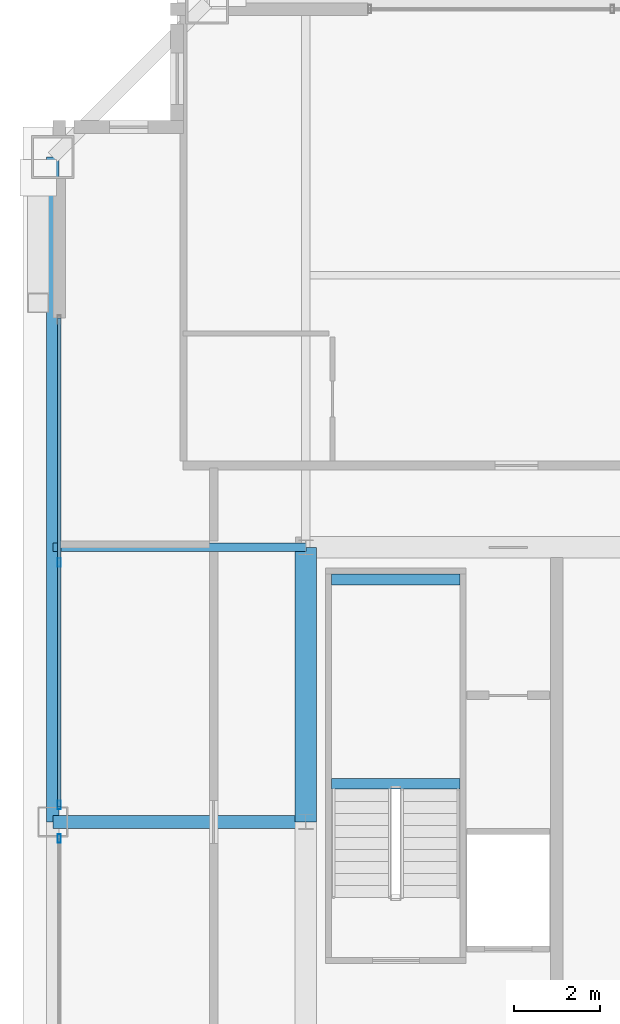
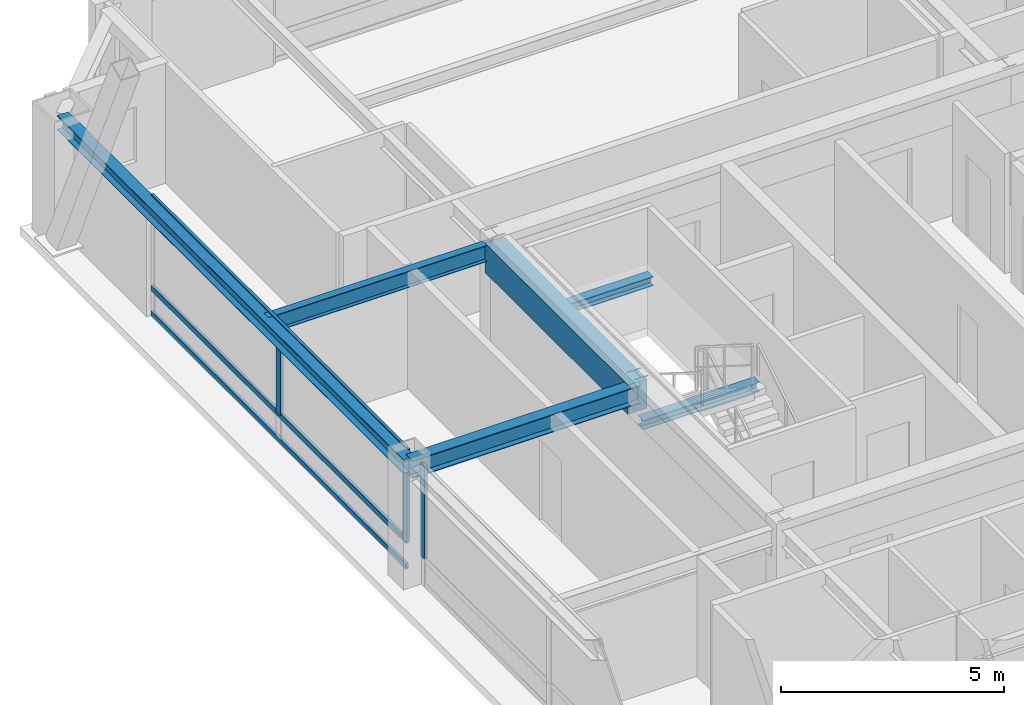
# One storey, part 11 of 34: 6 beams, 6 members, 2 elements without a shape of their own.
"""IFC4 building model written with IfcOpenShell, lengths in metres."""

import ifcopenshell
import ifcopenshell.guid

model = None  # the IFC model being written
_history = None  # IfcOwnerHistory: only IFC2X3 demands one
_inside = {}  # id of a spatial element -> (the spatial element, [elements in it])
_under = {}  # id of a project, library or spatial element -> (it, [spatial elements below it])
_declared = {}  # id of a project -> (the project, [libraries it declares])
_typed = {}  # id of a type object -> (the type object, [elements of that type])
_made_of = {}  # id of a material, layer set ... -> (it, [elements and type objects made of it])


def new_model(schema):
    """Start an empty IFC model of exactly this schema.

    Asked for "IFC4X3", IfcOpenShell would pick the latest addendum, in which some entities
    have other attributes; the version numbers below select the first issue.
    IFC2X3 requires an IfcOwnerHistory on every rooted entity: one is made here for all.
    """
    global model, _history
    if schema == "IFC4X3":
        model = ifcopenshell.file(schema_version=(4, 3, 0, 0))
    else:
        model = ifcopenshell.file(schema=schema)
    _inside.clear()
    _under.clear()
    _declared.clear()
    _typed.clear()
    _made_of.clear()
    _history = None
    if model.schema == "IFC2X3":
        org = make("IfcOrganization", Name="unknown")
        user = make(
            "IfcPersonAndOrganization",
            ThePerson=make("IfcPerson", FamilyName="unknown"),
            TheOrganization=org,
        )
        app = make(
            "IfcApplication",
            ApplicationDeveloper=org,
            Version="unknown",
            ApplicationFullName="unknown",
            ApplicationIdentifier="unknown",
        )
        _history = make(
            "IfcOwnerHistory",
            OwningUser=user,
            OwningApplication=app,
            ChangeAction="ADDED",
            CreationDate=0,
        )
    return model


def make(cls, **values):
    """One entity of the class cls with the attributes given. An attribute that is None is left unset."""
    return model.create_entity(
        cls, **{name: value for name, value in values.items() if value is not None}
    )


def rooted(cls, **values):
    """An entity with a GlobalId (a new one), such as an element, a storey or a relation."""
    return make(cls, GlobalId=ifcopenshell.guid.new(), OwnerHistory=_history, **values)


def si_unit(unit_type, name, prefix=None):
    """IfcSIUnit, for example si_unit("LENGTHUNIT", "METRE", prefix="MILLI")."""
    return make("IfcSIUnit", UnitType=unit_type, Prefix=prefix, Name=name)


def assignment(units):
    """IfcUnitAssignment: the units of a project."""
    return None if units is None else make("IfcUnitAssignment", Units=units)


def point(xyz):
    """IfcCartesianPoint."""
    return None if xyz is None else make("IfcCartesianPoint", Coordinates=xyz)


def direction(xyz):
    """IfcDirection."""
    return None if xyz is None else make("IfcDirection", DirectionRatios=xyz)


def frame(location, z_axis=None, x_axis=None):
    """IfcAxis2Placement3D, a coordinate frame: its origin and axes. An axis left out is left unset."""
    return make(
        "IfcAxis2Placement3D",
        Location=point(location),
        Axis=direction(z_axis),
        RefDirection=direction(x_axis),
    )


def frame_2d(location, x_axis=None):
    """IfcAxis2Placement2D, a coordinate frame in the plane: its origin and x axis."""
    return make(
        "IfcAxis2Placement2D", Location=point(location), RefDirection=direction(x_axis)
    )


def origin():
    """The frame at (0, 0, 0) with its axes left unset."""
    return frame((0.0, 0.0, 0.0))


def origin_2d():
    """The frame at (0, 0) in the plane with its x axis left unset."""
    return frame_2d((0.0, 0.0))


def place(relative_to, where):
    """IfcLocalPlacement: puts the frame where relative to a parent placement (None: the world)."""
    return make(
        "IfcLocalPlacement", PlacementRelTo=relative_to, RelativePlacement=where
    )


def context(
    kind, dimensions, precision=None, world=None, true_north=None, identifier=None
):
    """IfcGeometricRepresentationContext, for example the 3D "Model" context."""
    return make(
        "IfcGeometricRepresentationContext",
        ContextIdentifier=identifier,
        ContextType=kind,
        CoordinateSpaceDimension=dimensions,
        Precision=precision,
        WorldCoordinateSystem=world,
        TrueNorth=true_north,
    )


def subcontext(parent, identifier, kind, view, scale=None):
    """IfcGeometricRepresentationSubContext, for example "Body" below "Model"."""
    return make(
        "IfcGeometricRepresentationSubContext",
        ContextIdentifier=identifier,
        ContextType=kind,
        ParentContext=parent,
        TargetScale=scale,
        TargetView=view,
    )


def project(units=None, contexts=None):
    """IfcProject with its units and contexts."""
    return rooted(
        "IfcProject",
        Name="project",
        RepresentationContexts=contexts,
        UnitsInContext=assignment(units),
    )


def spatial(cls, under=None, at=None, **own):
    """A site, building, storey or space (cls), placed at a placement, below another one or the project."""
    s = rooted(cls, ObjectPlacement=at, **own)
    if under is not None:
        _under.setdefault(under.id(), (under, []))[1].append(s)
    return s


def profile(cls, at=None, kind="AREA", **sizes):
    """A parametric profile (cls). Its sizes go by their IFC names, for example OverallWidth=200.0."""
    return make(cls, ProfileType=kind, Position=at, **sizes)


def rectangle(**sizes):
    """IfcRectangleProfileDef."""
    return profile("IfcRectangleProfileDef", **sizes)


def hollow_rectangle(**sizes):
    """IfcRectangleHollowProfileDef."""
    return profile("IfcRectangleHollowProfileDef", **sizes)


def i_section(**sizes):
    """IfcIShapeProfileDef."""
    return profile("IfcIShapeProfileDef", **sizes)


def extrude(swept, where, along, depth):
    """IfcExtrudedAreaSolid: the profile swept, set in the frame where, extruded along a direction by depth."""
    return make(
        "IfcExtrudedAreaSolid",
        SweptArea=swept,
        Position=where,
        ExtrudedDirection=direction(along),
        Depth=depth,
    )


def shape(context_of_items, identifier, shape_type, items):
    """IfcShapeRepresentation: the items that make up one representation, for example the "Body"."""
    return make(
        "IfcShapeRepresentation",
        ContextOfItems=context_of_items,
        RepresentationIdentifier=identifier,
        RepresentationType=shape_type,
        Items=items,
    )


def source(mapping_origin, context_of_items, identifier, shape_type, items):
    """IfcRepresentationMap: a shape defined once, which mapped items show again and again."""
    return make(
        "IfcRepresentationMap",
        MappingOrigin=mapping_origin,
        MappedRepresentation=shape(context_of_items, identifier, shape_type, items),
    )


def transform(
    local_origin,
    x_axis=None,
    y_axis=None,
    z_axis=None,
    scale=None,
    scale2=None,
    scale3=None,
    uniform=True,
):
    """IfcCartesianTransformationOperator3D, or its non-uniform kind. x_axis, y_axis, z_axis: its Axis1, 2, 3."""
    if uniform:
        return make(
            "IfcCartesianTransformationOperator3D",
            Axis1=direction(x_axis),
            Axis2=direction(y_axis),
            LocalOrigin=point(local_origin),
            Scale=scale,
            Axis3=direction(z_axis),
        )
    return make(
        "IfcCartesianTransformationOperator3DnonUniform",
        Axis1=direction(x_axis),
        Axis2=direction(y_axis),
        LocalOrigin=point(local_origin),
        Scale=scale,
        Axis3=direction(z_axis),
        Scale2=scale2,
        Scale3=scale3,
    )


def mapped(mapping_source, mapping_target):
    """IfcMappedItem: shows the shape of a source again, moved by a transform."""
    return make(
        "IfcMappedItem", MappingSource=mapping_source, MappingTarget=mapping_target
    )


def material(Name=None, Category=None):
    """IfcMaterial."""
    return make("IfcMaterial", Name=Name, Category=Category)


def layer(
    of_material, thickness, ventilated=None, Name=None, Category=None, Priority=None
):
    """IfcMaterialLayer: one layer of a wall or slab, of a material (None: an air gap)."""
    return make(
        "IfcMaterialLayer",
        Material=of_material,
        LayerThickness=thickness,
        IsVentilated=ventilated,
        Name=Name,
        Category=Category,
        Priority=Priority,
    )


def layer_set(layers, Name=None):
    """IfcMaterialLayerSet."""
    return make("IfcMaterialLayerSet", MaterialLayers=layers, LayerSetName=Name)


def material_profile(
    of_material, cross_section, Name=None, Category=None, Priority=None
):
    """IfcMaterialProfile: a cross section and its material."""
    return make(
        "IfcMaterialProfile",
        Name=Name,
        Material=of_material,
        Profile=cross_section,
        Priority=Priority,
        Category=Category,
    )


def profile_set(profiles, Name=None, composite=None):
    """IfcMaterialProfileSet."""
    return make(
        "IfcMaterialProfileSet",
        Name=Name,
        MaterialProfiles=profiles,
        CompositeProfile=composite,
    )


def made_of(thing, what):
    """Note that an element or type object is made of a material, layer set ...; save() writes the relation."""
    if what is not None:
        _made_of.setdefault(what.id(), (what, []))[1].append(thing)
    return thing


def type_object(cls, material=None, **own):
    """A type object (cls), such as IfcWallType, which elements share."""
    return made_of(rooted(cls, **own), material)


def element(
    cls,
    number,
    at=None,
    inside=None,
    cuts=None,
    type_object=None,
    material=None,
    context=None,
    identifier="Body",
    shape_type=None,
    held_by="IfcProductDefinitionShape",
    body=None,
    shapes=None,
    **own,
):
    """One element of the class cls, such as IfcWall. Its Tag is "e" and its number.

    at: its placement. inside: the storey or other place that contains it. cuts: it is an
    opening in that element (IfcRelVoidsElement). A single representation is given by context,
    identifier, shape_type and body (its items); several are given by shapes. held_by: the class
    of the entity that holds the representations. save() writes the other relations.
    """
    e = rooted(cls, Tag="e%d" % number, ObjectPlacement=at, **own)
    if body is not None:
        shapes = [shape(context, identifier, shape_type, body)]
    if shapes is not None:
        e.Representation = make(held_by, Representations=shapes)
    if inside is not None:
        _inside.setdefault(inside.id(), (inside, []))[1].append(e)
    if cuts is not None:
        rooted(
            "IfcRelVoidsElement", RelatingBuildingElement=cuts, RelatedOpeningElement=e
        )
    if type_object is not None:
        _typed.setdefault(type_object.id(), (type_object, []))[1].append(e)
    return made_of(e, material)


def aggregate(whole, parts):
    """IfcRelAggregates: a whole, such as a stair, and the parts it consists of."""
    return rooted("IfcRelAggregates", RelatingObject=whole, RelatedObjects=parts)


def save(model, path):
    """Write the relations noted so far, then the file.

    IfcRelAggregates (storeys below a building ...), IfcRelContainedInSpatialStructure (elements
    in a storey), IfcRelDefinesByType, IfcRelAssociatesMaterial and IfcRelDeclares: one each for
    every whole, place, type object, material and project.
    """
    for whole, parts in _under.values():
        aggregate(whole, parts)
    for where, things in _inside.values():
        rooted(
            "IfcRelContainedInSpatialStructure",
            RelatedElements=things,
            RelatingStructure=where,
        )
    for kind, things in _typed.values():
        rooted("IfcRelDefinesByType", RelatedObjects=things, RelatingType=kind)
    for what, things in _made_of.values():
        rooted("IfcRelAssociatesMaterial", RelatedObjects=things, RelatingMaterial=what)
    for by, libraries in _declared.values():
        rooted("IfcRelDeclares", RelatingContext=by, RelatedDefinitions=libraries)
    model.write(path)


model = new_model("IFC4")

# Units and contexts
model_context = context("Model", 3, precision=1e-05, world=origin(), true_north=direction((0.0, 1.0)))
body_context = subcontext(model_context, "Body", "Model", "MODEL_VIEW")
ifc_project = project(units=[si_unit("LENGTHUNIT", "METRE"), si_unit("AREAUNIT", "SQUARE_METRE"), si_unit("VOLUMEUNIT", "CUBIC_METRE"), si_unit("PLANEANGLEUNIT", "RADIAN"), si_unit("MASSUNIT", "GRAM", prefix="KILO"), si_unit("THERMODYNAMICTEMPERATUREUNIT", "KELVIN"), si_unit("POWERUNIT", "WATT")], contexts=[model_context])

# Site, building, storey
site_placement = place(None, origin())
site = spatial("IfcSite", under=ifc_project, at=site_placement, CompositionType="ELEMENT")
building_placement = place(site_placement, origin())
building = spatial("IfcBuilding", under=site, at=building_placement, Name="Yuzanri Waterfront Tower", CompositionType="ELEMENT")
storey_placement = place(building_placement, frame((0.0, 0.0, 328.699951171875)))
storey = spatial("IfcBuildingStorey", under=building, at=storey_placement, Name="L88", CompositionType="ELEMENT", Elevation=328.699951171875)

# Beams
ifc_material_1 = material(Name="Concrete C50", Category="concrete")
ifc_material_profile_1 = material_profile(ifc_material_1, rectangle(XDim=0.5, YDim=0.800048828125, at=origin_2d()), Name="RC 500x800")
ifc_profile_set_1 = profile_set([ifc_material_profile_1], Name="Concrete C50")
beam_type_1 = type_object("IfcBeamType", Name="Core Coupling Lintel Concrete C50 500x800", PredefinedType="LINTEL", material=ifc_profile_set_1)
shared_shape_1 = source(origin(), body_context, "Body", "SweptSolid", [
    extrude(rectangle(XDim=0.5, YDim=0.800048828125, at=origin_2d()), origin(), (0.0, 0.0, 1.0), 6.39990234375),
])
beam_1_placement = place(storey_placement, frame((23.800048828125, 25.800048828125, 2.880126953125), z_axis=(0.0, 1.0, 0.0), x_axis=(-1.0, 0.0, 0.0)))
element("IfcBeam", 1, at=beam_1_placement, inside=storey, type_object=beam_type_1, Name="L88 Core Tie Beam CW2", PredefinedType="LINTEL", context=body_context, shape_type="MappedRepresentation", body=[
    mapped(shared_shape_1, transform((0.0, 0.0, 0.0), scale=1.0)),
])
ifc_material_2 = material(Name="Steel Q355B", Category="steel")
ifc_material_profile_2 = material_profile(ifc_material_2, i_section(OverallWidth=0.300048828125, OverallDepth=0.389892578125, WebThickness=0.010009765625, FlangeThickness=0.01611328125, at=origin_2d()), Name="HM 390x300x10x16")
ifc_profile_set_2 = profile_set([ifc_material_profile_2], Name="Steel Q355B")
beam_type_2 = type_object("IfcBeamType", Name="Perimeter Spandrel Q355B HM 390x300", PredefinedType="SPANDREL", material=ifc_profile_set_2)
shared_shape_2 = source(origin(), body_context, "Body", "SweptSolid", [
    extrude(i_section(OverallWidth=0.300048828125, OverallDepth=0.389892578125, WebThickness=0.010009765625, FlangeThickness=0.01611328125, at=origin_2d()), origin(), (0.0, 0.0, 1.0), 15.5),
])
beam_2_placement = place(storey_placement, frame((17.89990234375, 41.300048828125, 3.0849609375), z_axis=(0.0, -1.0, 0.0), x_axis=(1.0, 0.0, 0.0)))
element("IfcBeam", 2, at=beam_2_placement, inside=storey, type_object=beam_type_2, Name="L88 Perimeter Spandrel W3-W2", PredefinedType="SPANDREL", context=body_context, shape_type="MappedRepresentation", body=[
    mapped(shared_shape_2, transform((0.0, 0.0, 0.0), scale=1.0)),
])
ifc_material_3 = material(Name="Steel Q355B", Category="steel")
ifc_material_profile_3 = material_profile(ifc_material_3, i_section(OverallWidth=0.300048828125, OverallDepth=0.488037109375, WebThickness=0.010986328125, FlangeThickness=0.01806640625, at=origin_2d()), Name="HM 488x300x11x18")
ifc_profile_set_3 = profile_set([ifc_material_profile_3], Name="Steel Q355B")
beam_type_3 = type_object("IfcBeamType", Name="Primary Floor Girder Q355B HM 488x300", PredefinedType="BEAM", material=ifc_profile_set_3)
shared_shape_3 = source(origin(), body_context, "Body", "SweptSolid", [
    extrude(i_section(OverallWidth=0.300048828125, OverallDepth=0.488037109375, WebThickness=0.010986328125, FlangeThickness=0.01806640625, at=origin_2d()), origin(), (0.0, 0.0, 1.0), 5.900146484375),
])
beam_3_placement = place(storey_placement, frame((23.800048828125, 25.800048828125, 3.0361328125), z_axis=(-1.0, 0.0, 0.0), x_axis=(0.0, -1.0, 0.0)))
element("IfcBeam", 3, at=beam_3_placement, inside=storey, type_object=beam_type_3, Name="L88 West Grid Girder", PredefinedType="BEAM", context=body_context, shape_type="MappedRepresentation", body=[
    mapped(shared_shape_3, transform((0.0, 0.0, 0.0), scale=1.0)),
])
ifc_material_4 = material(Name="Steel Q355B", Category="steel")
ifc_material_profile_4 = material_profile(ifc_material_4, i_section(OverallWidth=0.199951171875, OverallDepth=0.449951171875, WebThickness=0.009033203125, FlangeThickness=0.013916015625, at=origin_2d()), Name="HN 450x200x9x14")
ifc_profile_set_4 = profile_set([ifc_material_profile_4], Name="Steel Q355B")
beam_type_4 = type_object("IfcBeamType", Name="Secondary Floor Beam Q355B HN 450x200", PredefinedType="BEAM", material=ifc_profile_set_4)
shared_shape_4 = source(origin(), body_context, "Body", "SweptSolid", [
    extrude(i_section(OverallWidth=0.199951171875, OverallDepth=0.449951171875, WebThickness=0.009033203125, FlangeThickness=0.013916015625, at=origin_2d()), origin(), (0.0, 0.0, 1.0), 5.900146484375),
])
beam_4_placement = place(storey_placement, frame((23.800048828125, 32.199951171875, 3.054931640625), z_axis=(-1.0, 0.0, 0.0), x_axis=(0.0, -1.0, 0.0)))
element("IfcBeam", 4, at=beam_4_placement, inside=storey, type_object=beam_type_4, Name="L88 West-North Core Line Beam", PredefinedType="BEAM", context=body_context, shape_type="MappedRepresentation", body=[
    mapped(shared_shape_4, transform((0.0, 0.0, 0.0), scale=1.0)),
])

# Curtain wall, member
ifc_material_5 = material(Name="Anodized Architectural Bronze", Category="metal")
ifc_layer = layer(ifc_material_5, 0.159912109375)
ifc_layer_set = layer_set([ifc_layer], Name="Anodized Architectural Bronze")
curtain_wall_type = type_object("IfcCurtainWallType", Name="Anodized Bronze High-Rise Penthouse High-Wind Unitized Curtain Wall 6900", PredefinedType="NOTDEFINED", material=ifc_layer_set)
curtain_wall_1_placement = place(storey_placement, origin())
curtain_wall_1 = element("IfcCurtainWall", 5, at=curtain_wall_1_placement, inside=storey, type_object=curtain_wall_type, Name="L88 Curtain Wall CW-L88-WL", PredefinedType="NOTDEFINED")
ifc_material_6 = material(Name="Anodized Architectural Bronze", Category="metal")
ifc_material_profile_5 = material_profile(ifc_material_6, hollow_rectangle(XDim=0.074951171875, YDim=0.199951171875, WallThickness=0.00390625, at=origin_2d()), Name="CWM 75x200")
ifc_profile_set_5 = profile_set([ifc_material_profile_5], Name="Anodized Architectural Bronze")
member_type_1 = type_object("IfcMemberType", Name="Anodized Bronze Primary Curtain-Wall Mullion 75x200", PredefinedType="MULLION", material=ifc_profile_set_5)
shared_shape_5 = source(origin(), body_context, "Body", "SweptSolid", [
    extrude(hollow_rectangle(XDim=0.074951171875, YDim=0.199951171875, WallThickness=0.00390625, at=origin_2d()), origin(), (0.0, 0.0, 1.0), 2.52392578125),
])
member_1_placement = place(storey_placement, frame((18.050048828125, 25.409912109375, 0.756103515625), z_axis=(0.0, 0.0, 1.0), x_axis=(1.0, 0.0, 0.0)))
member_1 = element("IfcMember", 6, at=member_1_placement, type_object=member_type_1, Name="CW-L88-WL Upper Mullion 02", PredefinedType="MULLION", context=body_context, shape_type="MappedRepresentation", body=[
    mapped(shared_shape_5, transform((0.0, 0.0, 0.0), scale=1.0)),
])
aggregate(curtain_wall_1, [member_1])

# Curtain wall, members
curtain_wall_2_placement = place(storey_placement, origin())
curtain_wall_2 = element("IfcCurtainWall", 7, at=curtain_wall_2_placement, inside=storey, type_object=curtain_wall_type, Name="L88 Curtain Wall CW-L88-WR", PredefinedType="NOTDEFINED")
member_2_placement = place(storey_placement, frame((18.050048828125, 26.18994140625, 0.756103515625), z_axis=(0.0, 0.0, 1.0), x_axis=(1.0, 0.0, 0.0)))
member_2 = element("IfcMember", 8, at=member_2_placement, type_object=member_type_1, Name="CW-L88-WR Upper Mullion 00", PredefinedType="MULLION", context=body_context, shape_type="MappedRepresentation", body=[
    mapped(shared_shape_5, transform((0.0, 0.0, 0.0), scale=1.0)),
])
member_3_placement = place(storey_placement, frame((18.050048828125, 31.85009765625, 0.756103515625), z_axis=(0.0, 0.0, 1.0), x_axis=(1.0, 0.0, 0.0)))
member_3 = element("IfcMember", 9, at=member_3_placement, type_object=member_type_1, Name="CW-L88-WR Upper Mullion 01", PredefinedType="MULLION", context=body_context, shape_type="MappedRepresentation", body=[
    mapped(shared_shape_5, transform((0.0, 0.0, 0.0), scale=1.0)),
])
ifc_material_7 = material(Name="Anodized Architectural Bronze", Category="metal")
ifc_material_profile_6 = material_profile(ifc_material_7, hollow_rectangle(XDim=0.074951171875, YDim=0.14990234375, WallThickness=0.00390625, at=origin_2d()), Name="CWT 75x150")
ifc_profile_set_6 = profile_set([ifc_material_profile_6], Name="Anodized Architectural Bronze")
member_type_2 = type_object("IfcMemberType", Name="Anodized Bronze Primary Curtain-Wall Transom 75x150", PredefinedType="USERDEFINED", material=ifc_profile_set_6)
shared_shape_6 = source(origin(), body_context, "Body", "SweptSolid", [
    extrude(hollow_rectangle(XDim=0.074951171875, YDim=0.14990234375, WallThickness=0.00390625, at=origin_2d()), origin(), (0.0, 0.0, 1.0), 11.400146484375),
])
member_4_placement = place(storey_placement, frame((18.050048828125, 26.14990234375, 0.050048828125), z_axis=(0.0, 1.0, 0.0), x_axis=(-1.0, 0.0, 0.0)))
member_4 = element("IfcMember", 10, at=member_4_placement, type_object=member_type_2, Name="CW-L88-WR Transom 1", ObjectType="TRANSOM", PredefinedType="USERDEFINED", context=body_context, shape_type="MappedRepresentation", body=[
    mapped(shared_shape_6, transform((0.0, 0.0, 0.0), scale=1.0)),
])
member_5_placement = place(storey_placement, frame((18.050048828125, 26.14990234375, 0.754150390625), z_axis=(0.0, 1.0, 0.0), x_axis=(-1.0, 0.0, 0.0)))
member_5 = element("IfcMember", 11, at=member_5_placement, type_object=member_type_2, Name="CW-L88-WR Transom 2", ObjectType="TRANSOM", PredefinedType="USERDEFINED", context=body_context, shape_type="MappedRepresentation", body=[
    mapped(shared_shape_6, transform((0.0, 0.0, 0.0), scale=1.0)),
])
member_6_placement = place(storey_placement, frame((18.050048828125, 26.14990234375, 3.22998046875), z_axis=(0.0, 1.0, 0.0), x_axis=(-1.0, 0.0, 0.0)))
member_6 = element("IfcMember", 12, at=member_6_placement, type_object=member_type_2, Name="CW-L88-WR Transom 3", ObjectType="TRANSOM", PredefinedType="USERDEFINED", context=body_context, shape_type="MappedRepresentation", body=[
    mapped(shared_shape_6, transform((0.0, 0.0, 0.0), scale=1.0)),
])
aggregate(curtain_wall_2, [member_2, member_3, member_4, member_5, member_6])

# Beams
ifc_material_8 = material(Name="Steel Q355B", Category="steel")
ifc_material_profile_7 = material_profile(ifc_material_8, i_section(OverallWidth=0.25, OverallDepth=0.25, WebThickness=0.009033203125, FlangeThickness=0.013916015625, at=origin_2d()), Name="HW 250x250x9x14")
ifc_profile_set_7 = profile_set([ifc_material_profile_7], Name="Steel Q355B")
beam_type_5 = type_object("IfcBeamType", Name="Stair Landing Support Beam Q355B HW 250x250", PredefinedType="BEAM", material=ifc_profile_set_7)
shared_shape_7 = source(origin(), body_context, "Body", "SweptSolid", [
    extrude(i_section(OverallWidth=0.25, OverallDepth=0.25, WebThickness=0.009033203125, FlangeThickness=0.013916015625, at=origin_2d()), origin(), (0.0, 0.0, 1.0), 3.0),
])
for number, where, z_axis, x_axis, name in (
    (13, (24.39990234375, 26.68994140625, 1.425048828125), (1.0, 0.0, 0.0), (0.0, 1.0, 0.0), "L88 Stair Landing Support Beam ST-01-L88-L1-1"),
    (14, (24.39990234375, 31.449951171875, 1.425048828125), (1.0, 0.0, 0.0), (0.0, 1.0, 0.0), "L88 Stair Landing Support Beam ST-01-L88-L1-2"),
):
    element("IfcBeam", number, at=place(storey_placement, frame(where, z_axis=z_axis, x_axis=x_axis)), inside=storey, type_object=beam_type_5, Name=name, PredefinedType="BEAM", context=body_context, shape_type="MappedRepresentation", body=[
        mapped(shared_shape_7, transform((0.0, 0.0, 0.0), scale=1.0)),
    ])

save(model, "model.ifc")
